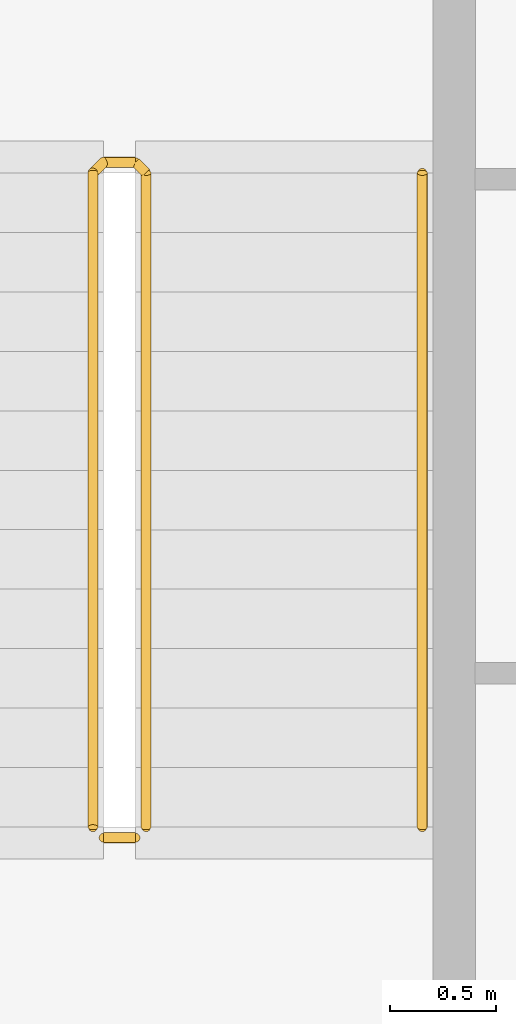
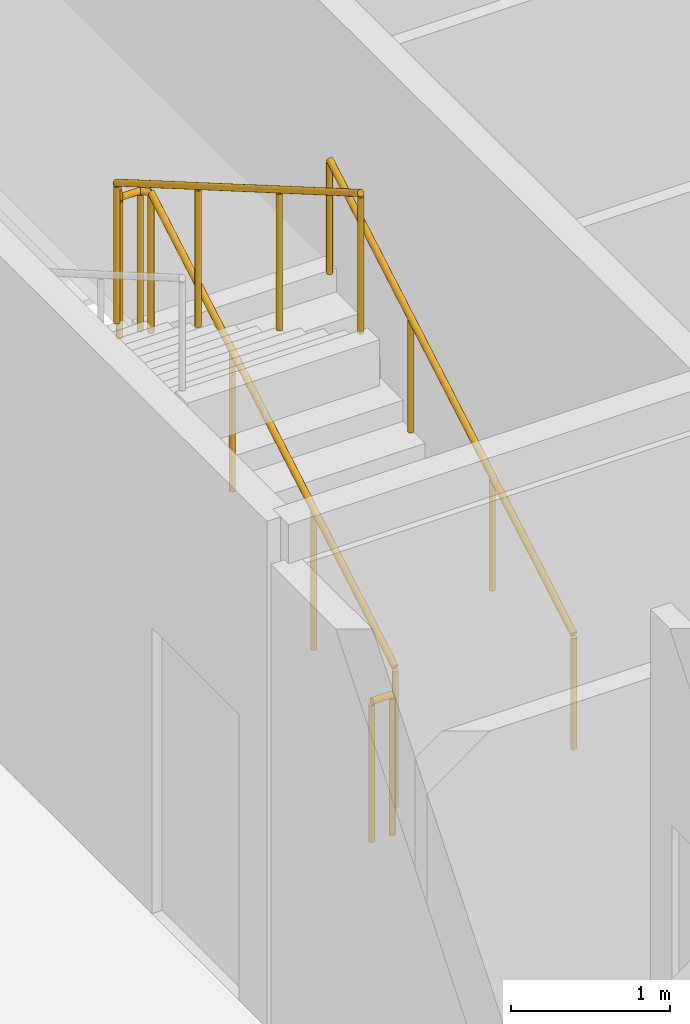
# One storey, part 27 of 28: 3 railings.
"""IFC4 building model written with IfcOpenShell, lengths in metres."""

from ifc_helpers import new_model, si_unit, direction, frame, origin, origin_2d, place, context, subcontext, project, spatial, circle, extrude, material, type_object, element, save


model = new_model("IFC4")

# Units and contexts
model_context = context("Model", 3, precision=1e-05, world=origin(), true_north=direction((0.0, 1.0)))
body_context = subcontext(model_context, "Body", "Model", "MODEL_VIEW")
ifc_project = project(units=[si_unit("LENGTHUNIT", "METRE"), si_unit("AREAUNIT", "SQUARE_METRE"), si_unit("VOLUMEUNIT", "CUBIC_METRE"), si_unit("PLANEANGLEUNIT", "RADIAN"), si_unit("MASSUNIT", "GRAM", prefix="KILO")], contexts=[model_context])

# Site, building, storey
site_placement = place(None, origin())
site = spatial("IfcSite", under=ifc_project, at=site_placement, CompositionType="ELEMENT")
building_placement = place(site_placement, origin())
building = spatial("IfcBuilding", under=site, at=building_placement, Name="Kheshtan School and Residences Tower", CompositionType="ELEMENT")
storey_placement = place(building_placement, frame((0.0, 0.0, 129.199951171875)))
storey = spatial("IfcBuildingStorey", under=building, at=storey_placement, Name="L30", CompositionType="ELEMENT", Elevation=129.199951171875)

# Railings
ifc_material_1 = material(Name="Stainless steel balustrade", Category="steel")
railing_type_1 = type_object("IfcRailingType", Name="Stair guard 1100", PredefinedType="GUARDRAIL", material=ifc_material_1)
railing_1_placement = place(storey_placement, frame((35.0, 80.89990234375, 0.16259765625)))
element("IfcRailing", 1, at=railing_1_placement, inside=storey, type_object=railing_type_1, Name="L30 ST3 stair guard 1", PredefinedType="GUARDRAIL", context=body_context, shape_type="SweptSolid", body=[
    extrude(circle(Radius=0.02392578125, at=origin_2d()), frame((0.0, 0.0, 1.076171875), z_axis=(0.0, 0.864920483161, 0.501908913857), x_axis=(-1.0, 0.0, 0.0)), (0.0, 0.0, 1.0), 3.56103515625),
    extrude(circle(Radius=0.02392578125, at=origin_2d()), frame((0.0, 3.080078125, 2.86328125), z_axis=(-0.707106781187, 0.707106781187, 0.0), x_axis=(-0.707106781187, -0.707106781187, 0.0)), (0.0, 0.0, 1.0), 0.07080078125),
    extrude(circle(Radius=0.02392578125, at=origin_2d()), frame((-0.050048828125, 3.130126953125, 2.86328125), z_axis=(-1.0, 0.0, 0.0), x_axis=(0.0, -1.0, 0.0)), (0.0, 0.0, 1.0), 0.14990234375),
    extrude(circle(Radius=0.02392578125, at=origin_2d()), frame((-0.199951171875, 3.130126953125, 2.86328125), z_axis=(-0.282227285176, -0.282227285176, 0.916894497205), x_axis=(0.707106781187, -0.707106781187, 0.0)), (0.0, 0.0, 1.0), 0.17724609375),
    extrude(circle(Radius=0.02392578125, at=origin_2d()), frame((-0.25, 3.080078125, 3.02587890625), z_axis=(0.0, -0.864890721111, 0.501960198159), x_axis=(1.0, 0.0, 0.0)), (0.0, 0.0, 1.0), 3.561279296875),
    extrude(circle(Radius=0.02099609375, at=origin_2d()), origin(), (0.0, 0.0, 1.0), 1.052001953125),
    extrude(circle(Radius=0.02099609375, at=origin_2d()), frame((0.0, 1.026611328125, 0.595703125)), (0.0, 0.0, 1.0), 1.052001953125),
    extrude(circle(Radius=0.02099609375, at=origin_2d()), frame((0.0, 2.053466796875, 1.191650390625)), (0.0, 0.0, 1.0), 1.052001953125),
    extrude(circle(Radius=0.02099609375, at=origin_2d()), frame((0.0, 3.080078125, 1.787353515625)), (0.0, 0.0, 1.0), 1.052001953125),
    extrude(circle(Radius=0.02099609375, at=origin_2d()), frame((-0.050048828125, 3.130126953125, 1.787353515625)), (0.0, 0.0, 1.0), 1.052001953125),
    extrude(circle(Radius=0.02099609375, at=origin_2d()), frame((-0.199951171875, 3.130126953125, 1.787353515625)), (0.0, 0.0, 1.0), 1.052001953125),
    extrude(circle(Radius=0.02099609375, at=origin_2d()), frame((-0.25, 3.080078125, 1.949951171875)), (0.0, 0.0, 1.0), 1.052001953125),
    extrude(circle(Radius=0.02099609375, at=origin_2d()), frame((-0.25, 2.053466796875, 2.5458984375)), (0.0, 0.0, 1.0), 1.052001953125),
    extrude(circle(Radius=0.02099609375, at=origin_2d()), frame((-0.25, 1.026611328125, 3.1416015625)), (0.0, 0.0, 1.0), 1.052001953125),
    extrude(circle(Radius=0.02099609375, at=origin_2d()), frame((-0.25, 0.0, 3.737548828125)), (0.0, 0.0, 1.0), 1.052001953125),
])
railing_2_placement = place(storey_placement, frame((34.949951171875, 80.85009765625, 0.0)))
element("IfcRailing", 2, at=railing_2_placement, inside=storey, type_object=railing_type_1, Name="L30 ST3 stair guard 2", PredefinedType="GUARDRAIL", context=body_context, shape_type="SweptSolid", body=[
    extrude(circle(Radius=0.02392578125, at=origin_2d()), frame((0.0, 0.0, 1.076171875), z_axis=(-1.0, 0.0, 0.0), x_axis=(0.0, -1.0, 0.0)), (0.0, 0.0, 1.0), 0.14990234375),
    extrude(circle(Radius=0.02099609375, at=origin_2d()), origin(), (0.0, 0.0, 1.0), 1.052001953125),
    extrude(circle(Radius=0.02099609375, at=origin_2d()), frame((-0.14990234375, 0.0, 0.0)), (0.0, 0.0, 1.0), 1.052001953125),
])
ifc_material_2 = material(Name="Stainless steel handrail", Category="steel")
railing_type_2 = type_object("IfcRailingType", Name="Stair handrail 900", PredefinedType="HANDRAIL", material=ifc_material_2)
railing_3_placement = place(storey_placement, frame((36.300048828125, 80.89990234375, 0.16259765625)))
element("IfcRailing", 3, at=railing_3_placement, inside=storey, type_object=railing_type_2, Name="L30 ST3 stair handrail 1", PredefinedType="HANDRAIL", context=body_context, shape_type="SweptSolid", body=[
    extrude(circle(Radius=0.02392578125, at=origin_2d()), frame((0.0, 0.0, 0.8759765625), z_axis=(0.0, 0.864920483161, 0.501908913857), x_axis=(-1.0, 0.0, 0.0)), (0.0, 0.0, 1.0), 3.56103515625),
    extrude(circle(Radius=0.02099609375, at=origin_2d()), origin(), (0.0, 0.0, 1.0), 0.851806640625),
    extrude(circle(Radius=0.02099609375, at=origin_2d()), frame((0.0, 1.026611328125, 0.595703125)), (0.0, 0.0, 1.0), 0.851806640625),
    extrude(circle(Radius=0.02099609375, at=origin_2d()), frame((0.0, 2.053466796875, 1.191650390625)), (0.0, 0.0, 1.0), 0.851806640625),
    extrude(circle(Radius=0.02099609375, at=origin_2d()), frame((0.0, 3.080078125, 1.787353515625)), (0.0, 0.0, 1.0), 0.851806640625),
])

save(model, "model.ifc")
